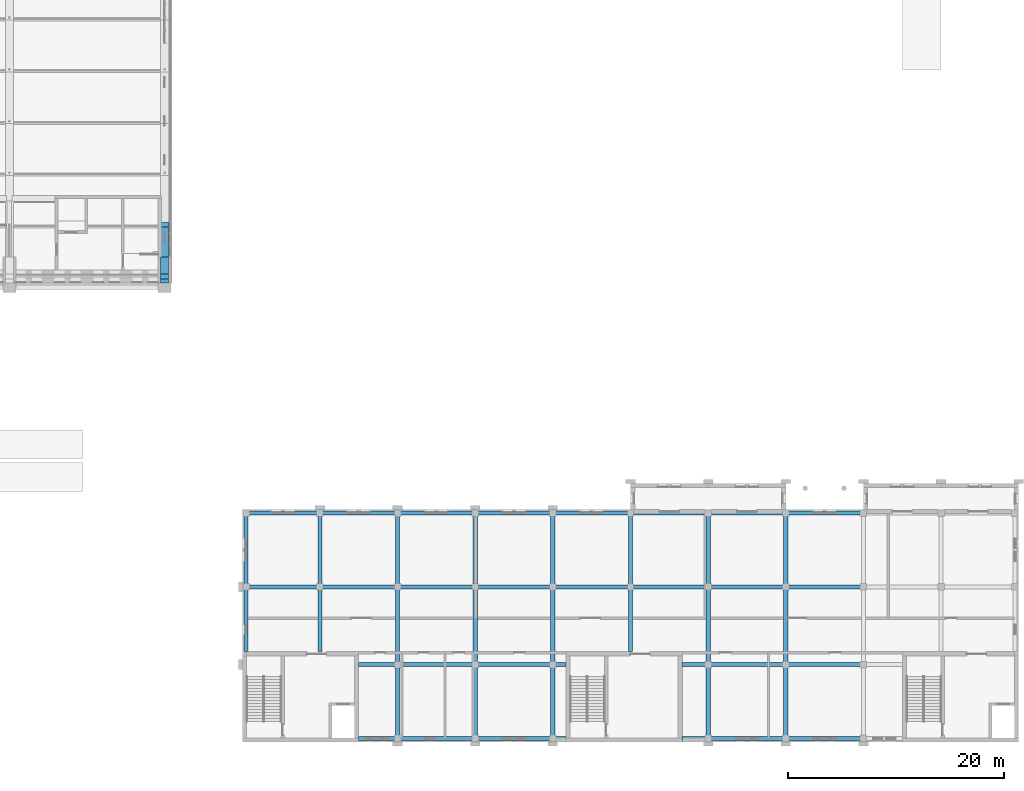
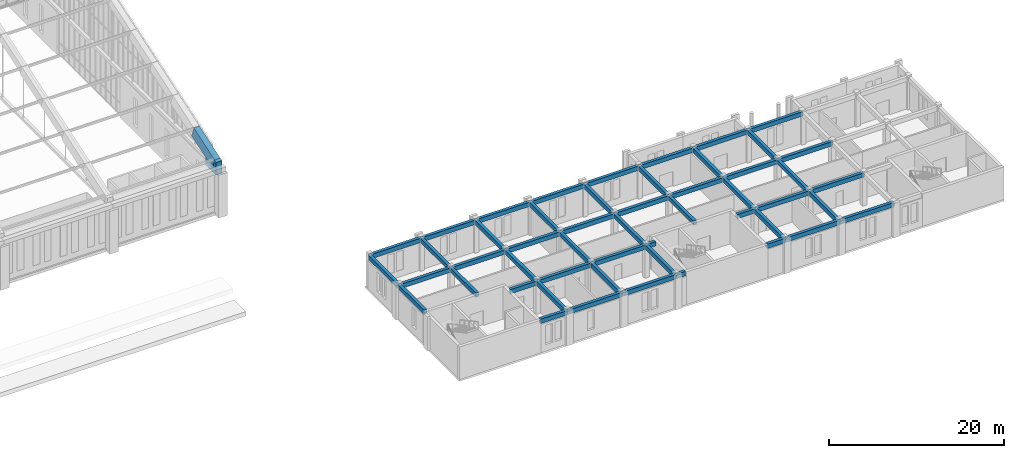
# One storey, part 90 of 149: 52 beams, 1 member.
"""IFC4 building model written with IfcOpenShell, lengths in metres."""

from ifc_helpers import new_model, si_unit, direction, frame, origin, origin_2d, place, context, subcontext, project, spatial, polyline, rectangle, outline, extrude, material, material_profile, profile_set, type_object, element, save


model = new_model("IFC4")

# Units and contexts
model_context = context("Model", 3, precision=1e-05, world=origin(), true_north=direction((0.0, 1.0)))
body_context = subcontext(model_context, "Body", "Model", "MODEL_VIEW")
ifc_project = project(units=[si_unit("LENGTHUNIT", "METRE"), si_unit("AREAUNIT", "SQUARE_METRE"), si_unit("VOLUMEUNIT", "CUBIC_METRE"), si_unit("PLANEANGLEUNIT", "RADIAN"), si_unit("MASSUNIT", "GRAM", prefix="KILO")], contexts=[model_context])

# Site, building, storey
site_placement = place(None, origin())
site = spatial("IfcSite", under=ifc_project, at=site_placement, CompositionType="ELEMENT")
building_placement = place(site_placement, origin())
building = spatial("IfcBuilding", under=site, at=building_placement, Name="Alderwick Market Hall", CompositionType="ELEMENT")
storey_placement = place(building_placement, frame((0.0, 0.0, 9.60009765625)))
storey = spatial("IfcBuildingStorey", under=building, at=storey_placement, Name="L01", CompositionType="ELEMENT", Elevation=9.60009765625)

# Beams
ifc_material = material(Name="Concrete 5000 psi (f'c 35 MPa)", Category="concrete")
ifc_material_profile_1 = material_profile(ifc_material, rectangle(XDim=0.39990234375, YDim=0.60009765625, at=origin_2d()), Name="RC 400x600")
ifc_profile_set_1 = profile_set([ifc_material_profile_1], Name="Concrete 5000 psi (f'c 35 MPa)")
beam_type_1 = type_object("IfcBeamType", Name="C Floor Beam RC 400x600", PredefinedType="BEAM", material=ifc_profile_set_1)
beam_1_placement = place(storey_placement, frame((158.75, 28.449951171875, 4.25), z_axis=(1.0, 0.0, 0.0), x_axis=(0.0, 1.0, 0.0)))
element("IfcBeam", 1, at=beam_1_placement, inside=storey, type_object=beam_type_1, Name="C.beam.L01.001", PredefinedType="BEAM", context=body_context, shape_type="SweptSolid", body=[
    extrude(rectangle(XDim=0.39990234375, YDim=0.60009765625, at=origin_2d()), origin(), (0.0, 0.0, 1.0), 6.85009765625),
])
for number, where, z_axis, x_axis, name in (
    (2, (165.60009765625, 28.449951171875, 4.25), (1.0, 0.0, 0.0), (0.0, 1.0, 0.0), "C.beam.L01.002"),
    (3, (172.800048828125, 28.449951171875, 4.25), (1.0, 0.0, 0.0), (0.0, 1.0, 0.0), "C.beam.L01.003"),
    (4, (180.0, 28.449951171875, 4.25), (1.0, 0.0, 0.0), (0.0, 1.0, 0.0), "C.beam.L01.004"),
    (5, (187.199951171875, 28.449951171875, 4.25), (1.0, 0.0, 0.0), (0.0, 1.0, 0.0), "C.beam.L01.005"),
):
    element("IfcBeam", number, at=place(storey_placement, frame(where, z_axis=z_axis, x_axis=x_axis)), inside=storey, type_object=beam_type_1, Name=name, PredefinedType="BEAM", context=body_context, shape_type="SweptSolid", body=[
        extrude(rectangle(XDim=0.39990234375, YDim=0.60009765625, at=origin_2d()), origin(), (0.0, 0.0, 1.0), 7.199951171875),
    ])
beam_2_placement = place(storey_placement, frame((194.39990234375, 28.449951171875, 4.25), z_axis=(1.0, 0.0, 0.0), x_axis=(0.0, 1.0, 0.0)))
element("IfcBeam", 6, at=beam_2_placement, inside=storey, type_object=beam_type_1, Name="C.beam.L01.006", PredefinedType="BEAM", context=body_context, shape_type="SweptSolid", body=[
    extrude(rectangle(XDim=0.39990234375, YDim=0.60009765625, at=origin_2d()), origin(), (0.0, 0.0, 1.0), 7.2001953125),
])
for number, where, z_axis, x_axis, name in (
    (7, (201.60009765625, 28.449951171875, 4.25), (1.0, 0.0, 0.0), (0.0, 1.0, 0.0), "C.beam.L01.007"),
    (8, (208.800048828125, 28.449951171875, 4.25), (1.0, 0.0, 0.0), (0.0, 1.0, 0.0), "C.beam.L01.008"),
):
    element("IfcBeam", number, at=place(storey_placement, frame(where, z_axis=z_axis, x_axis=x_axis)), inside=storey, type_object=beam_type_1, Name=name, PredefinedType="BEAM", context=body_context, shape_type="SweptSolid", body=[
        extrude(rectangle(XDim=0.39990234375, YDim=0.60009765625, at=origin_2d()), origin(), (0.0, 0.0, 1.0), 7.199951171875),
    ])
beam_3_placement = place(storey_placement, frame((158.75, 21.60009765625, 4.25), z_axis=(1.0, 0.0, 0.0), x_axis=(0.0, 1.0, 0.0)))
element("IfcBeam", 9, at=beam_3_placement, inside=storey, type_object=beam_type_1, Name="C.beam.L01.011", PredefinedType="BEAM", context=body_context, shape_type="SweptSolid", body=[
    extrude(rectangle(XDim=0.39990234375, YDim=0.60009765625, at=origin_2d()), origin(), (0.0, 0.0, 1.0), 6.85009765625),
])
for number, where, z_axis, x_axis, name in (
    (10, (165.60009765625, 21.60009765625, 4.25), (1.0, 0.0, 0.0), (0.0, 1.0, 0.0), "C.beam.L01.012"),
    (11, (172.800048828125, 21.60009765625, 4.25), (1.0, 0.0, 0.0), (0.0, 1.0, 0.0), "C.beam.L01.013"),
    (12, (180.0, 21.60009765625, 4.25), (1.0, 0.0, 0.0), (0.0, 1.0, 0.0), "C.beam.L01.014"),
    (13, (187.199951171875, 21.60009765625, 4.25), (1.0, 0.0, 0.0), (0.0, 1.0, 0.0), "C.beam.L01.015"),
):
    element("IfcBeam", number, at=place(storey_placement, frame(where, z_axis=z_axis, x_axis=x_axis)), inside=storey, type_object=beam_type_1, Name=name, PredefinedType="BEAM", context=body_context, shape_type="SweptSolid", body=[
        extrude(rectangle(XDim=0.39990234375, YDim=0.60009765625, at=origin_2d()), origin(), (0.0, 0.0, 1.0), 7.199951171875),
    ])
beam_4_placement = place(storey_placement, frame((194.39990234375, 21.60009765625, 4.25), z_axis=(1.0, 0.0, 0.0), x_axis=(0.0, 1.0, 0.0)))
element("IfcBeam", 14, at=beam_4_placement, inside=storey, type_object=beam_type_1, Name="C.beam.L01.016", PredefinedType="BEAM", context=body_context, shape_type="SweptSolid", body=[
    extrude(rectangle(XDim=0.39990234375, YDim=0.60009765625, at=origin_2d()), origin(), (0.0, 0.0, 1.0), 7.2001953125),
])
for number, where, z_axis, x_axis, name in (
    (15, (201.60009765625, 21.60009765625, 4.25), (1.0, 0.0, 0.0), (0.0, 1.0, 0.0), "C.beam.L01.017"),
    (16, (208.800048828125, 21.60009765625, 4.25), (1.0, 0.0, 0.0), (0.0, 1.0, 0.0), "C.beam.L01.018"),
):
    element("IfcBeam", number, at=place(storey_placement, frame(where, z_axis=z_axis, x_axis=x_axis)), inside=storey, type_object=beam_type_1, Name=name, PredefinedType="BEAM", context=body_context, shape_type="SweptSolid", body=[
        extrude(rectangle(XDim=0.39990234375, YDim=0.60009765625, at=origin_2d()), origin(), (0.0, 0.0, 1.0), 7.199951171875),
    ])
beam_5_placement = place(storey_placement, frame((169.198974609375, 14.39990234375, 4.25), z_axis=(1.0, 0.0, 0.0), x_axis=(0.0, 1.0, 0.0)))
element("IfcBeam", 17, at=beam_5_placement, inside=storey, type_object=beam_type_1, Name="C.beam.L01.021", PredefinedType="BEAM", context=body_context, shape_type="SweptSolid", body=[
    extrude(rectangle(XDim=0.39990234375, YDim=0.60009765625, at=origin_2d()), origin(), (0.0, 0.0, 1.0), 3.60107421875),
])
for number, where, z_axis, x_axis, name in (
    (18, (172.800048828125, 14.39990234375, 4.25), (1.0, 0.0, 0.0), (0.0, 1.0, 0.0), "C.beam.L01.022"),
    (19, (180.0, 14.39990234375, 4.25), (1.0, 0.0, 0.0), (0.0, 1.0, 0.0), "C.beam.L01.023"),
):
    element("IfcBeam", number, at=place(storey_placement, frame(where, z_axis=z_axis, x_axis=x_axis)), inside=storey, type_object=beam_type_1, Name=name, PredefinedType="BEAM", context=body_context, shape_type="SweptSolid", body=[
        extrude(rectangle(XDim=0.39990234375, YDim=0.60009765625, at=origin_2d()), origin(), (0.0, 0.0, 1.0), 7.199951171875),
    ])
beam_6_placement = place(storey_placement, frame((187.199951171875, 14.39990234375, 4.25), z_axis=(1.0, 0.0, 0.0), x_axis=(0.0, 1.0, 0.0)))
element("IfcBeam", 20, at=beam_6_placement, inside=storey, type_object=beam_type_1, Name="C.beam.L01.024", PredefinedType="BEAM", context=body_context, shape_type="SweptSolid", body=[
    extrude(rectangle(XDim=0.39990234375, YDim=0.60009765625, at=origin_2d()), origin(), (0.0, 0.0, 1.0), 1.200927734375),
])
beam_7_placement = place(storey_placement, frame((199.198974609375, 14.39990234375, 4.25), z_axis=(1.0, 0.0, 0.0), x_axis=(0.0, 1.0, 0.0)))
element("IfcBeam", 21, at=beam_7_placement, inside=storey, type_object=beam_type_1, Name="C.beam.L01.025", PredefinedType="BEAM", context=body_context, shape_type="SweptSolid", body=[
    extrude(rectangle(XDim=0.39990234375, YDim=0.60009765625, at=origin_2d()), origin(), (0.0, 0.0, 1.0), 2.401123046875),
])
for number, where, z_axis, x_axis, name in (
    (22, (201.60009765625, 14.39990234375, 4.25), (1.0, 0.0, 0.0), (0.0, 1.0, 0.0), "C.beam.L01.026"),
    (23, (208.800048828125, 14.39990234375, 4.25), (1.0, 0.0, 0.0), (0.0, 1.0, 0.0), "C.beam.L01.027"),
):
    element("IfcBeam", number, at=place(storey_placement, frame(where, z_axis=z_axis, x_axis=x_axis)), inside=storey, type_object=beam_type_1, Name=name, PredefinedType="BEAM", context=body_context, shape_type="SweptSolid", body=[
        extrude(rectangle(XDim=0.39990234375, YDim=0.60009765625, at=origin_2d()), origin(), (0.0, 0.0, 1.0), 7.199951171875),
    ])
beam_8_placement = place(storey_placement, frame((169.198974609375, 7.550048828125, 4.25), z_axis=(1.0, 0.0, 0.0), x_axis=(0.0, 1.0, 0.0)))
element("IfcBeam", 24, at=beam_8_placement, inside=storey, type_object=beam_type_1, Name="C.beam.L01.029", PredefinedType="BEAM", context=body_context, shape_type="SweptSolid", body=[
    extrude(rectangle(XDim=0.39990234375, YDim=0.60009765625, at=origin_2d()), origin(), (0.0, 0.0, 1.0), 3.60107421875),
])
for number, where, z_axis, x_axis, name in (
    (25, (172.800048828125, 7.550048828125, 4.25), (1.0, 0.0, 0.0), (0.0, 1.0, 0.0), "C.beam.L01.030"),
    (26, (180.0, 7.550048828125, 4.25), (1.0, 0.0, 0.0), (0.0, 1.0, 0.0), "C.beam.L01.031"),
):
    element("IfcBeam", number, at=place(storey_placement, frame(where, z_axis=z_axis, x_axis=x_axis)), inside=storey, type_object=beam_type_1, Name=name, PredefinedType="BEAM", context=body_context, shape_type="SweptSolid", body=[
        extrude(rectangle(XDim=0.39990234375, YDim=0.60009765625, at=origin_2d()), origin(), (0.0, 0.0, 1.0), 7.199951171875),
    ])
beam_9_placement = place(storey_placement, frame((187.199951171875, 7.550048828125, 4.25), z_axis=(1.0, 0.0, 0.0), x_axis=(0.0, 1.0, 0.0)))
element("IfcBeam", 27, at=beam_9_placement, inside=storey, type_object=beam_type_1, Name="C.beam.L01.032", PredefinedType="BEAM", context=body_context, shape_type="SweptSolid", body=[
    extrude(rectangle(XDim=0.39990234375, YDim=0.60009765625, at=origin_2d()), origin(), (0.0, 0.0, 1.0), 1.200927734375),
])
beam_10_placement = place(storey_placement, frame((199.198974609375, 7.550048828125, 4.25), z_axis=(1.0, 0.0, 0.0), x_axis=(0.0, 1.0, 0.0)))
element("IfcBeam", 28, at=beam_10_placement, inside=storey, type_object=beam_type_1, Name="C.beam.L01.033", PredefinedType="BEAM", context=body_context, shape_type="SweptSolid", body=[
    extrude(rectangle(XDim=0.39990234375, YDim=0.60009765625, at=origin_2d()), origin(), (0.0, 0.0, 1.0), 2.401123046875),
])
for number, where, z_axis, x_axis, name in (
    (29, (201.60009765625, 7.550048828125, 4.25), (1.0, 0.0, 0.0), (0.0, 1.0, 0.0), "C.beam.L01.034"),
    (30, (208.800048828125, 7.550048828125, 4.25), (1.0, 0.0, 0.0), (0.0, 1.0, 0.0), "C.beam.L01.035"),
):
    element("IfcBeam", number, at=place(storey_placement, frame(where, z_axis=z_axis, x_axis=x_axis)), inside=storey, type_object=beam_type_1, Name=name, PredefinedType="BEAM", context=body_context, shape_type="SweptSolid", body=[
        extrude(rectangle(XDim=0.39990234375, YDim=0.60009765625, at=origin_2d()), origin(), (0.0, 0.0, 1.0), 7.199951171875),
    ])
beam_11_placement = place(storey_placement, frame((158.75, 28.449951171875, 4.25), z_axis=(0.0, -1.0, 0.0), x_axis=(1.0, 0.0, 0.0)))
element("IfcBeam", 31, at=beam_11_placement, inside=storey, type_object=beam_type_1, Name="C.beam.L01.037", PredefinedType="BEAM", context=body_context, shape_type="SweptSolid", body=[
    extrude(rectangle(XDim=0.39990234375, YDim=0.60009765625, at=origin_2d()), origin(), (0.0, 0.0, 1.0), 6.849853515625),
])
beam_12_placement = place(storey_placement, frame((158.75, 21.60009765625, 4.25), z_axis=(0.0, -1.0, 0.0), x_axis=(1.0, 0.0, 0.0)))
element("IfcBeam", 32, at=beam_12_placement, inside=storey, type_object=beam_type_1, Name="C.beam.L01.038", PredefinedType="BEAM", context=body_context, shape_type="SweptSolid", body=[
    extrude(rectangle(XDim=0.39990234375, YDim=0.60009765625, at=origin_2d()), origin(), (0.0, 0.0, 1.0), 6.0009765625),
])
beam_13_placement = place(storey_placement, frame((165.60009765625, 28.449951171875, 4.25), z_axis=(0.0, -1.0, 0.0), x_axis=(1.0, 0.0, 0.0)))
element("IfcBeam", 33, at=beam_13_placement, inside=storey, type_object=beam_type_1, Name="C.beam.L01.039", PredefinedType="BEAM", context=body_context, shape_type="SweptSolid", body=[
    extrude(rectangle(XDim=0.39990234375, YDim=0.60009765625, at=origin_2d()), origin(), (0.0, 0.0, 1.0), 6.849853515625),
])
beam_14_placement = place(storey_placement, frame((165.60009765625, 21.60009765625, 4.25), z_axis=(0.0, -1.0, 0.0), x_axis=(1.0, 0.0, 0.0)))
element("IfcBeam", 34, at=beam_14_placement, inside=storey, type_object=beam_type_1, Name="C.beam.L01.040", PredefinedType="BEAM", context=body_context, shape_type="SweptSolid", body=[
    extrude(rectangle(XDim=0.39990234375, YDim=0.60009765625, at=origin_2d()), origin(), (0.0, 0.0, 1.0), 6.0009765625),
])
beam_15_placement = place(storey_placement, frame((172.800048828125, 28.449951171875, 4.25), z_axis=(0.0, -1.0, 0.0), x_axis=(1.0, 0.0, 0.0)))
element("IfcBeam", 35, at=beam_15_placement, inside=storey, type_object=beam_type_1, Name="C.beam.L01.041", PredefinedType="BEAM", context=body_context, shape_type="SweptSolid", body=[
    extrude(rectangle(XDim=0.39990234375, YDim=0.60009765625, at=origin_2d()), origin(), (0.0, 0.0, 1.0), 6.849853515625),
])
beam_16_placement = place(storey_placement, frame((172.800048828125, 21.60009765625, 4.25), z_axis=(0.0, -1.0, 0.0), x_axis=(1.0, 0.0, 0.0)))
element("IfcBeam", 36, at=beam_16_placement, inside=storey, type_object=beam_type_1, Name="C.beam.L01.042", PredefinedType="BEAM", context=body_context, shape_type="SweptSolid", body=[
    extrude(rectangle(XDim=0.39990234375, YDim=0.60009765625, at=origin_2d()), origin(), (0.0, 0.0, 1.0), 7.2001953125),
])
for number, where, z_axis, x_axis, name in (
    (37, (172.800048828125, 14.39990234375, 4.25), (0.0, -1.0, 0.0), (1.0, 0.0, 0.0), "C.beam.L01.043"),
    (38, (180.0, 28.449951171875, 4.25), (0.0, -1.0, 0.0), (1.0, 0.0, 0.0), "C.beam.L01.044"),
):
    element("IfcBeam", number, at=place(storey_placement, frame(where, z_axis=z_axis, x_axis=x_axis)), inside=storey, type_object=beam_type_1, Name=name, PredefinedType="BEAM", context=body_context, shape_type="SweptSolid", body=[
        extrude(rectangle(XDim=0.39990234375, YDim=0.60009765625, at=origin_2d()), origin(), (0.0, 0.0, 1.0), 6.849853515625),
    ])
beam_17_placement = place(storey_placement, frame((180.0, 21.60009765625, 4.25), z_axis=(0.0, -1.0, 0.0), x_axis=(1.0, 0.0, 0.0)))
element("IfcBeam", 39, at=beam_17_placement, inside=storey, type_object=beam_type_1, Name="C.beam.L01.045", PredefinedType="BEAM", context=body_context, shape_type="SweptSolid", body=[
    extrude(rectangle(XDim=0.39990234375, YDim=0.60009765625, at=origin_2d()), origin(), (0.0, 0.0, 1.0), 7.2001953125),
])
for number, where, z_axis, x_axis, name in (
    (40, (180.0, 14.39990234375, 4.25), (0.0, -1.0, 0.0), (1.0, 0.0, 0.0), "C.beam.L01.046"),
    (41, (187.199951171875, 28.449951171875, 4.25), (0.0, -1.0, 0.0), (1.0, 0.0, 0.0), "C.beam.L01.047"),
):
    element("IfcBeam", number, at=place(storey_placement, frame(where, z_axis=z_axis, x_axis=x_axis)), inside=storey, type_object=beam_type_1, Name=name, PredefinedType="BEAM", context=body_context, shape_type="SweptSolid", body=[
        extrude(rectangle(XDim=0.39990234375, YDim=0.60009765625, at=origin_2d()), origin(), (0.0, 0.0, 1.0), 6.849853515625),
    ])
beam_18_placement = place(storey_placement, frame((187.199951171875, 21.60009765625, 4.25), z_axis=(0.0, -1.0, 0.0), x_axis=(1.0, 0.0, 0.0)))
element("IfcBeam", 42, at=beam_18_placement, inside=storey, type_object=beam_type_1, Name="C.beam.L01.048", PredefinedType="BEAM", context=body_context, shape_type="SweptSolid", body=[
    extrude(rectangle(XDim=0.39990234375, YDim=0.60009765625, at=origin_2d()), origin(), (0.0, 0.0, 1.0), 7.2001953125),
])
for number, where, z_axis, x_axis, name in (
    (43, (187.199951171875, 14.39990234375, 4.25), (0.0, -1.0, 0.0), (1.0, 0.0, 0.0), "C.beam.L01.049"),
    (44, (194.39990234375, 28.449951171875, 4.25), (0.0, -1.0, 0.0), (1.0, 0.0, 0.0), "C.beam.L01.050"),
):
    element("IfcBeam", number, at=place(storey_placement, frame(where, z_axis=z_axis, x_axis=x_axis)), inside=storey, type_object=beam_type_1, Name=name, PredefinedType="BEAM", context=body_context, shape_type="SweptSolid", body=[
        extrude(rectangle(XDim=0.39990234375, YDim=0.60009765625, at=origin_2d()), origin(), (0.0, 0.0, 1.0), 6.849853515625),
    ])
beam_19_placement = place(storey_placement, frame((194.39990234375, 21.60009765625, 4.25), z_axis=(0.0, -1.0, 0.0), x_axis=(1.0, 0.0, 0.0)))
element("IfcBeam", 45, at=beam_19_placement, inside=storey, type_object=beam_type_1, Name="C.beam.L01.051", PredefinedType="BEAM", context=body_context, shape_type="SweptSolid", body=[
    extrude(rectangle(XDim=0.39990234375, YDim=0.60009765625, at=origin_2d()), origin(), (0.0, 0.0, 1.0), 6.0009765625),
])
beam_20_placement = place(storey_placement, frame((201.60009765625, 28.449951171875, 4.25), z_axis=(0.0, -1.0, 0.0), x_axis=(1.0, 0.0, 0.0)))
element("IfcBeam", 46, at=beam_20_placement, inside=storey, type_object=beam_type_1, Name="C.beam.L01.052", PredefinedType="BEAM", context=body_context, shape_type="SweptSolid", body=[
    extrude(rectangle(XDim=0.39990234375, YDim=0.60009765625, at=origin_2d()), origin(), (0.0, 0.0, 1.0), 6.849853515625),
])
beam_21_placement = place(storey_placement, frame((201.60009765625, 21.60009765625, 4.25), z_axis=(0.0, -1.0, 0.0), x_axis=(1.0, 0.0, 0.0)))
element("IfcBeam", 47, at=beam_21_placement, inside=storey, type_object=beam_type_1, Name="C.beam.L01.053", PredefinedType="BEAM", context=body_context, shape_type="SweptSolid", body=[
    extrude(rectangle(XDim=0.39990234375, YDim=0.60009765625, at=origin_2d()), origin(), (0.0, 0.0, 1.0), 7.2001953125),
])
for number, where, z_axis, x_axis, name in (
    (48, (201.60009765625, 14.39990234375, 4.25), (0.0, -1.0, 0.0), (1.0, 0.0, 0.0), "C.beam.L01.054"),
    (49, (208.800048828125, 28.449951171875, 4.25), (0.0, -1.0, 0.0), (1.0, 0.0, 0.0), "C.beam.L01.055"),
):
    element("IfcBeam", number, at=place(storey_placement, frame(where, z_axis=z_axis, x_axis=x_axis)), inside=storey, type_object=beam_type_1, Name=name, PredefinedType="BEAM", context=body_context, shape_type="SweptSolid", body=[
        extrude(rectangle(XDim=0.39990234375, YDim=0.60009765625, at=origin_2d()), origin(), (0.0, 0.0, 1.0), 6.849853515625),
    ])
beam_22_placement = place(storey_placement, frame((208.800048828125, 21.60009765625, 4.25), z_axis=(0.0, -1.0, 0.0), x_axis=(1.0, 0.0, 0.0)))
element("IfcBeam", 50, at=beam_22_placement, inside=storey, type_object=beam_type_1, Name="C.beam.L01.056", PredefinedType="BEAM", context=body_context, shape_type="SweptSolid", body=[
    extrude(rectangle(XDim=0.39990234375, YDim=0.60009765625, at=origin_2d()), origin(), (0.0, 0.0, 1.0), 7.2001953125),
])
beam_23_placement = place(storey_placement, frame((208.800048828125, 14.39990234375, 4.25), z_axis=(0.0, -1.0, 0.0), x_axis=(1.0, 0.0, 0.0)))
element("IfcBeam", 51, at=beam_23_placement, inside=storey, type_object=beam_type_1, Name="C.beam.L01.057", PredefinedType="BEAM", context=body_context, shape_type="SweptSolid", body=[
    extrude(rectangle(XDim=0.39990234375, YDim=0.60009765625, at=origin_2d()), origin(), (0.0, 0.0, 1.0), 6.849853515625),
])
ifc_material_profile_2 = material_profile(ifc_material, rectangle(XDim=0.75, YDim=1.5, at=origin_2d()), Name="RC 750x1500")
ifc_profile_set_2 = profile_set([ifc_material_profile_2], Name="Concrete 5000 psi (f'c 35 MPa)")
beam_type_2 = type_object("IfcBeamType", Name="R Arch Rib Springing 750x1500", PredefinedType="BEAM", material=ifc_profile_set_2)
beam_24_placement = place(storey_placement, frame((151.199951171875, 50.39990234375, 6.599853515625), z_axis=(0.0, 0.948678472761, 0.316242241517), x_axis=(-1.0, 0.0, 0.0)))
element("IfcBeam", 52, at=beam_24_placement, inside=storey, type_object=beam_type_2, Name="Arch rib 8 chord 1", PredefinedType="BEAM", context=body_context, shape_type="SweptSolid", body=[
    extrude(rectangle(XDim=0.75, YDim=1.5, at=origin_2d()), origin(), (0.0, 0.0, 1.0), 5.059814453125),
])

# Member
ifc_material_profile_3 = material_profile(ifc_material, outline(polyline([(0.0, 0.0), (2.39990234375, 0.0), (2.39990234375, 1.009521484375), (0.837158203125, 0.488525390625), (0.36279296875, 1.91162109375), (0.0, 1.79052734375), (0.0, 0.0)])), Name="RC skewback S")
ifc_profile_set_3 = profile_set([ifc_material_profile_3], Name="Concrete 5000 psi (f'c 35 MPa)")
member_type = type_object("IfcMemberType", Name="R Springing Skewback South", PredefinedType="MEMBER", material=ifc_profile_set_3)
member_placement = place(storey_placement, frame((150.824951171875, 49.800048828125, 5.39990234375), z_axis=(1.0, 0.0, 0.0), x_axis=(0.0, 1.0, 0.0)))
element("IfcMember", 53, at=member_placement, inside=storey, type_object=member_type, Name="Springing skewback S8", PredefinedType="MEMBER", context=body_context, shape_type="SweptSolid", body=[
    extrude(outline(polyline([(0.0, 0.0), (2.39990234375, 0.0), (2.39990234375, 1.009521484375), (0.837158203125, 0.488525390625), (0.36279296875, 1.91162109375), (0.0, 1.79052734375), (0.0, 0.0)])), origin(), (0.0, 0.0, 1.0), 0.75),
])

save(model, "model.ifc")
